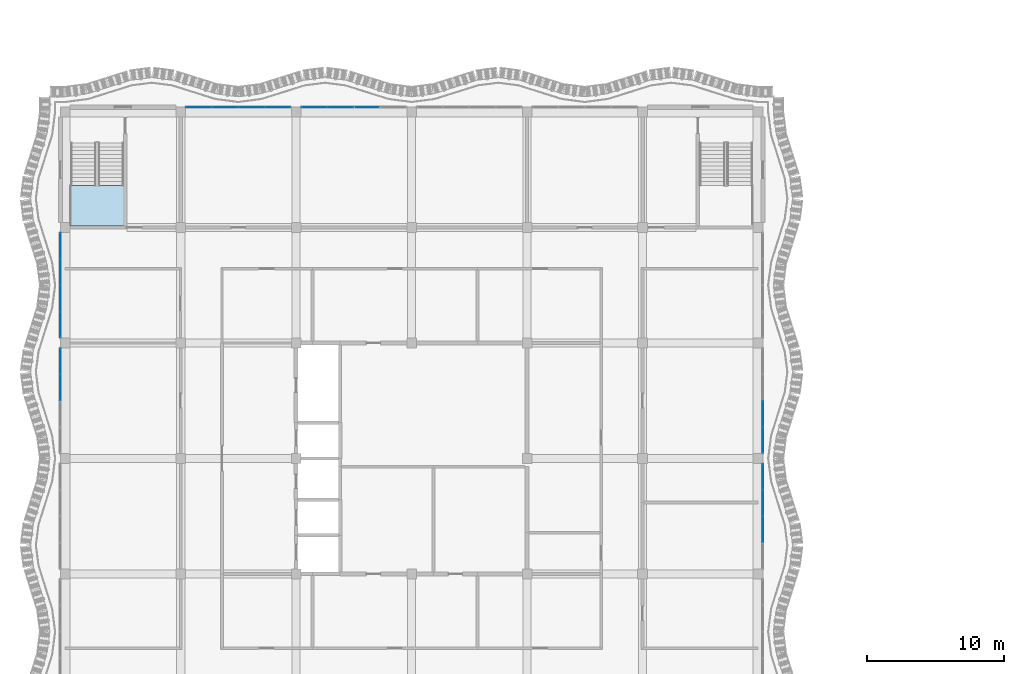
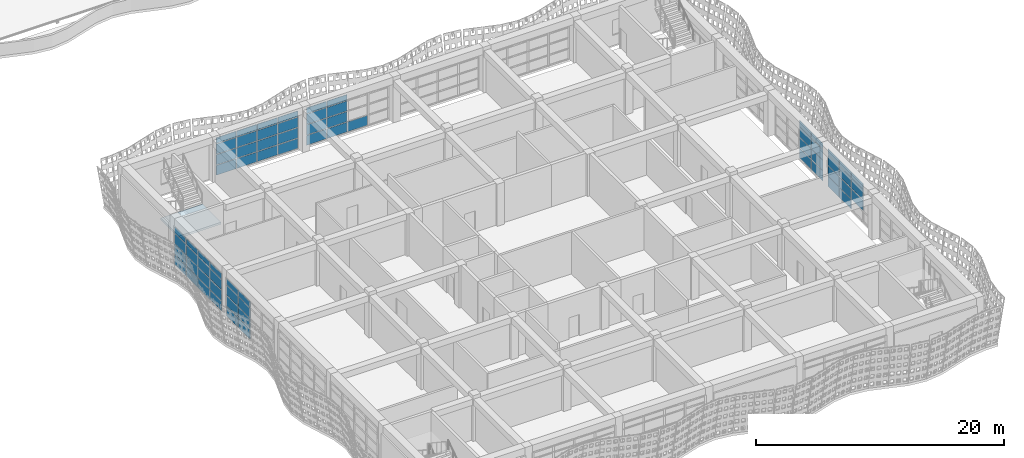
# One storey, part 98 of 163: 68 plates, 1 slab, 7 elements without a shape of their own.
"""IFC4 building model written with IfcOpenShell, lengths in metres."""

from ifc_helpers import new_model, si_unit, direction, frame, origin, origin_2d, place, context, subcontext, project, spatial, polyline, rectangle, outline, extrude, material, layer, layer_set, type_object, element, aggregate, save


model = new_model("IFC4")

# Units and contexts
model_context = context("Model", 3, precision=1e-05, world=origin(), true_north=direction((0.0, 1.0)))
body_context = subcontext(model_context, "Body", "Model", "MODEL_VIEW")
ifc_project = project(units=[si_unit("LENGTHUNIT", "METRE"), si_unit("AREAUNIT", "SQUARE_METRE"), si_unit("VOLUMEUNIT", "CUBIC_METRE"), si_unit("PLANEANGLEUNIT", "RADIAN"), si_unit("MASSUNIT", "GRAM", prefix="KILO")], contexts=[model_context])

# Site, building, storey
site_placement = place(None, origin())
site = spatial("IfcSite", under=ifc_project, at=site_placement, CompositionType="ELEMENT")
building_placement = place(site_placement, origin())
building = spatial("IfcBuilding", under=site, at=building_placement, Name="Rain Tree Exposition and Congress Centre", CompositionType="ELEMENT")
storey_placement = place(building_placement, frame((0.0, 0.0, 10.5)))
storey = spatial("IfcBuildingStorey", under=building, at=storey_placement, Name="L02", CompositionType="ELEMENT", Elevation=10.5)

# Curtain wall, plates
ifc_material_1 = material(Name="Aluminium curtain wall", Category="aluminium")
curtain_wall_type = type_object("IfcCurtainWallType", Name="Wing curtain wall 1925", PredefinedType="NOTDEFINED", material=ifc_material_1)
curtain_wall_1_placement = place(storey_placement, origin())
curtain_wall_1 = element("IfcCurtainWall", 1, at=curtain_wall_1_placement, inside=storey, type_object=curtain_wall_type, Name="Curtain wall CWW304", PredefinedType="NOTDEFINED")
ifc_material_2 = material(Name="Double glazed unit", Category="glass")
ifc_layer_1 = layer(ifc_material_2, 0.028076171875)
ifc_layer_set_1 = layer_set([ifc_layer_1], Name="Double glazed unit")
plate_type = type_object("IfcPlateType", Name="Wing glazing panel 28", PredefinedType="CURTAIN_PANEL", material=ifc_layer_set_1)
plate_1_placement = place(storey_placement, frame((9.7275390625, 50.75, 0.06005859375), z_axis=(0.0, 0.0, 1.0), x_axis=(1.0, 0.0, 0.0)))
plate_1 = element("IfcPlate", 2, at=plate_1_placement, type_object=plate_type, Name="CWW304 panel 1.1", PredefinedType="CURTAIN_PANEL", context=body_context, shape_type="SweptSolid", body=[
    extrude(rectangle(XDim=1.8349609375, YDim=0.028076171875, at=origin_2d()), origin(), (0.0, 0.0, 1.0), 0.9599609375),
])
plate_2_placement = place(storey_placement, frame((9.7275390625, 50.75, 1.080078125), z_axis=(0.0, 0.0, 1.0), x_axis=(1.0, 0.0, 0.0)))
plate_2 = element("IfcPlate", 3, at=plate_2_placement, type_object=plate_type, Name="CWW304 panel 1.2", PredefinedType="CURTAIN_PANEL", context=body_context, shape_type="SweptSolid", body=[
    extrude(rectangle(XDim=1.8349609375, YDim=0.028076171875, at=origin_2d()), origin(), (0.0, 0.0, 1.0), 0.989990234375),
])
plate_3_placement = place(storey_placement, frame((9.7275390625, 50.75, 2.1298828125), z_axis=(0.0, 0.0, 1.0), x_axis=(1.0, 0.0, 0.0)))
plate_3 = element("IfcPlate", 4, at=plate_3_placement, type_object=plate_type, Name="CWW304 panel 1.3", PredefinedType="CURTAIN_PANEL", context=body_context, shape_type="SweptSolid", body=[
    extrude(rectangle(XDim=1.8349609375, YDim=0.028076171875, at=origin_2d()), origin(), (0.0, 0.0, 1.0), 0.989990234375),
])
plate_4_placement = place(storey_placement, frame((9.7275390625, 50.75, 3.179931640625), z_axis=(0.0, 0.0, 1.0), x_axis=(1.0, 0.0, 0.0)))
plate_4 = element("IfcPlate", 5, at=plate_4_placement, type_object=plate_type, Name="CWW304 panel 1.4", PredefinedType="CURTAIN_PANEL", context=body_context, shape_type="SweptSolid", body=[
    extrude(rectangle(XDim=1.8349609375, YDim=0.028076171875, at=origin_2d()), origin(), (0.0, 0.0, 1.0), 0.56005859375),
])
plate_5_placement = place(storey_placement, frame((11.637451171875, 50.75, 0.06005859375), z_axis=(0.0, 0.0, 1.0), x_axis=(1.0, 0.0, 0.0)))
plate_5 = element("IfcPlate", 6, at=plate_5_placement, type_object=plate_type, Name="CWW304 panel 2.1", PredefinedType="CURTAIN_PANEL", context=body_context, shape_type="SweptSolid", body=[
    extrude(rectangle(XDim=1.864990234375, YDim=0.028076171875, at=origin_2d()), origin(), (0.0, 0.0, 1.0), 0.9599609375),
])
plate_6_placement = place(storey_placement, frame((11.637451171875, 50.75, 1.080078125), z_axis=(0.0, 0.0, 1.0), x_axis=(1.0, 0.0, 0.0)))
plate_6 = element("IfcPlate", 7, at=plate_6_placement, type_object=plate_type, Name="CWW304 panel 2.2", PredefinedType="CURTAIN_PANEL", context=body_context, shape_type="SweptSolid", body=[
    extrude(rectangle(XDim=1.864990234375, YDim=0.028076171875, at=origin_2d()), origin(), (0.0, 0.0, 1.0), 0.989990234375),
])
plate_7_placement = place(storey_placement, frame((11.637451171875, 50.75, 2.1298828125), z_axis=(0.0, 0.0, 1.0), x_axis=(1.0, 0.0, 0.0)))
plate_7 = element("IfcPlate", 8, at=plate_7_placement, type_object=plate_type, Name="CWW304 panel 2.3", PredefinedType="CURTAIN_PANEL", context=body_context, shape_type="SweptSolid", body=[
    extrude(rectangle(XDim=1.864990234375, YDim=0.028076171875, at=origin_2d()), origin(), (0.0, 0.0, 1.0), 0.989990234375),
])
plate_8_placement = place(storey_placement, frame((11.637451171875, 50.75, 3.179931640625), z_axis=(0.0, 0.0, 1.0), x_axis=(1.0, 0.0, 0.0)))
plate_8 = element("IfcPlate", 9, at=plate_8_placement, type_object=plate_type, Name="CWW304 panel 2.4", PredefinedType="CURTAIN_PANEL", context=body_context, shape_type="SweptSolid", body=[
    extrude(rectangle(XDim=1.864990234375, YDim=0.028076171875, at=origin_2d()), origin(), (0.0, 0.0, 1.0), 0.56005859375),
])
plate_9_placement = place(storey_placement, frame((13.5625, 50.75, 0.06005859375), z_axis=(0.0, 0.0, 1.0), x_axis=(1.0, 0.0, 0.0)))
plate_9 = element("IfcPlate", 10, at=plate_9_placement, type_object=plate_type, Name="CWW304 panel 3.1", PredefinedType="CURTAIN_PANEL", context=body_context, shape_type="SweptSolid", body=[
    extrude(rectangle(XDim=1.864990234375, YDim=0.028076171875, at=origin_2d()), origin(), (0.0, 0.0, 1.0), 0.9599609375),
])
plate_10_placement = place(storey_placement, frame((13.5625, 50.75, 1.080078125), z_axis=(0.0, 0.0, 1.0), x_axis=(1.0, 0.0, 0.0)))
plate_10 = element("IfcPlate", 11, at=plate_10_placement, type_object=plate_type, Name="CWW304 panel 3.2", PredefinedType="CURTAIN_PANEL", context=body_context, shape_type="SweptSolid", body=[
    extrude(rectangle(XDim=1.864990234375, YDim=0.028076171875, at=origin_2d()), origin(), (0.0, 0.0, 1.0), 0.989990234375),
])
plate_11_placement = place(storey_placement, frame((13.5625, 50.75, 2.1298828125), z_axis=(0.0, 0.0, 1.0), x_axis=(1.0, 0.0, 0.0)))
plate_11 = element("IfcPlate", 12, at=plate_11_placement, type_object=plate_type, Name="CWW304 panel 3.3", PredefinedType="CURTAIN_PANEL", context=body_context, shape_type="SweptSolid", body=[
    extrude(rectangle(XDim=1.864990234375, YDim=0.028076171875, at=origin_2d()), origin(), (0.0, 0.0, 1.0), 0.989990234375),
])
plate_12_placement = place(storey_placement, frame((13.5625, 50.75, 3.179931640625), z_axis=(0.0, 0.0, 1.0), x_axis=(1.0, 0.0, 0.0)))
plate_12 = element("IfcPlate", 13, at=plate_12_placement, type_object=plate_type, Name="CWW304 panel 3.4", PredefinedType="CURTAIN_PANEL", context=body_context, shape_type="SweptSolid", body=[
    extrude(rectangle(XDim=1.864990234375, YDim=0.028076171875, at=origin_2d()), origin(), (0.0, 0.0, 1.0), 0.56005859375),
])
plate_13_placement = place(storey_placement, frame((15.472412109375, 50.75, 0.06005859375), z_axis=(0.0, 0.0, 1.0), x_axis=(1.0, 0.0, 0.0)))
plate_13 = element("IfcPlate", 14, at=plate_13_placement, type_object=plate_type, Name="CWW304 panel 4.1", PredefinedType="CURTAIN_PANEL", context=body_context, shape_type="SweptSolid", body=[
    extrude(rectangle(XDim=1.8349609375, YDim=0.028076171875, at=origin_2d()), origin(), (0.0, 0.0, 1.0), 0.9599609375),
])
plate_14_placement = place(storey_placement, frame((15.472412109375, 50.75, 1.080078125), z_axis=(0.0, 0.0, 1.0), x_axis=(1.0, 0.0, 0.0)))
plate_14 = element("IfcPlate", 15, at=plate_14_placement, type_object=plate_type, Name="CWW304 panel 4.2", PredefinedType="CURTAIN_PANEL", context=body_context, shape_type="SweptSolid", body=[
    extrude(rectangle(XDim=1.8349609375, YDim=0.028076171875, at=origin_2d()), origin(), (0.0, 0.0, 1.0), 0.989990234375),
])
plate_15_placement = place(storey_placement, frame((15.472412109375, 50.75, 2.1298828125), z_axis=(0.0, 0.0, 1.0), x_axis=(1.0, 0.0, 0.0)))
plate_15 = element("IfcPlate", 16, at=plate_15_placement, type_object=plate_type, Name="CWW304 panel 4.3", PredefinedType="CURTAIN_PANEL", context=body_context, shape_type="SweptSolid", body=[
    extrude(rectangle(XDim=1.8349609375, YDim=0.028076171875, at=origin_2d()), origin(), (0.0, 0.0, 1.0), 0.989990234375),
])
plate_16_placement = place(storey_placement, frame((15.472412109375, 50.75, 3.179931640625), z_axis=(0.0, 0.0, 1.0), x_axis=(1.0, 0.0, 0.0)))
plate_16 = element("IfcPlate", 17, at=plate_16_placement, type_object=plate_type, Name="CWW304 panel 4.4", PredefinedType="CURTAIN_PANEL", context=body_context, shape_type="SweptSolid", body=[
    extrude(rectangle(XDim=1.8349609375, YDim=0.028076171875, at=origin_2d()), origin(), (0.0, 0.0, 1.0), 0.56005859375),
])
aggregate(curtain_wall_1, [plate_1, plate_2, plate_3, plate_4, plate_5, plate_6, plate_7, plate_8, plate_9, plate_10, plate_11, plate_12, plate_13, plate_14, plate_15, plate_16])

curtain_wall_2_placement = place(storey_placement, origin())
curtain_wall_2 = element("IfcCurtainWall", 18, at=curtain_wall_2_placement, inside=storey, type_object=curtain_wall_type, Name="Curtain wall CWW305", PredefinedType="NOTDEFINED")
plate_17_placement = place(storey_placement, frame((18.12744140625, 50.75, 0.06005859375), z_axis=(0.0, 0.0, 1.0), x_axis=(1.0, 0.0, 0.0)))
plate_17 = element("IfcPlate", 19, at=plate_17_placement, type_object=plate_type, Name="CWW305 panel 1.1", PredefinedType="CURTAIN_PANEL", context=body_context, shape_type="SweptSolid", body=[
    extrude(rectangle(XDim=1.8349609375, YDim=0.028076171875, at=origin_2d()), origin(), (0.0, 0.0, 1.0), 0.9599609375),
])
plate_18_placement = place(storey_placement, frame((18.12744140625, 50.75, 1.080078125), z_axis=(0.0, 0.0, 1.0), x_axis=(1.0, 0.0, 0.0)))
plate_18 = element("IfcPlate", 20, at=plate_18_placement, type_object=plate_type, Name="CWW305 panel 1.2", PredefinedType="CURTAIN_PANEL", context=body_context, shape_type="SweptSolid", body=[
    extrude(rectangle(XDim=1.8349609375, YDim=0.028076171875, at=origin_2d()), origin(), (0.0, 0.0, 1.0), 0.989990234375),
])
plate_19_placement = place(storey_placement, frame((18.12744140625, 50.75, 2.1298828125), z_axis=(0.0, 0.0, 1.0), x_axis=(1.0, 0.0, 0.0)))
plate_19 = element("IfcPlate", 21, at=plate_19_placement, type_object=plate_type, Name="CWW305 panel 1.3", PredefinedType="CURTAIN_PANEL", context=body_context, shape_type="SweptSolid", body=[
    extrude(rectangle(XDim=1.8349609375, YDim=0.028076171875, at=origin_2d()), origin(), (0.0, 0.0, 1.0), 0.989990234375),
])
plate_20_placement = place(storey_placement, frame((18.12744140625, 50.75, 3.179931640625), z_axis=(0.0, 0.0, 1.0), x_axis=(1.0, 0.0, 0.0)))
plate_20 = element("IfcPlate", 22, at=plate_20_placement, type_object=plate_type, Name="CWW305 panel 1.4", PredefinedType="CURTAIN_PANEL", context=body_context, shape_type="SweptSolid", body=[
    extrude(rectangle(XDim=1.8349609375, YDim=0.028076171875, at=origin_2d()), origin(), (0.0, 0.0, 1.0), 0.56005859375),
])
plate_21_placement = place(storey_placement, frame((20.03759765625, 50.75, 0.06005859375), z_axis=(0.0, 0.0, 1.0), x_axis=(1.0, 0.0, 0.0)))
plate_21 = element("IfcPlate", 23, at=plate_21_placement, type_object=plate_type, Name="CWW305 panel 2.1", PredefinedType="CURTAIN_PANEL", context=body_context, shape_type="SweptSolid", body=[
    extrude(rectangle(XDim=1.864990234375, YDim=0.028076171875, at=origin_2d()), origin(), (0.0, 0.0, 1.0), 0.9599609375),
])
plate_22_placement = place(storey_placement, frame((20.03759765625, 50.75, 1.080078125), z_axis=(0.0, 0.0, 1.0), x_axis=(1.0, 0.0, 0.0)))
plate_22 = element("IfcPlate", 24, at=plate_22_placement, type_object=plate_type, Name="CWW305 panel 2.2", PredefinedType="CURTAIN_PANEL", context=body_context, shape_type="SweptSolid", body=[
    extrude(rectangle(XDim=1.864990234375, YDim=0.028076171875, at=origin_2d()), origin(), (0.0, 0.0, 1.0), 0.989990234375),
])
plate_23_placement = place(storey_placement, frame((20.03759765625, 50.75, 2.1298828125), z_axis=(0.0, 0.0, 1.0), x_axis=(1.0, 0.0, 0.0)))
plate_23 = element("IfcPlate", 25, at=plate_23_placement, type_object=plate_type, Name="CWW305 panel 2.3", PredefinedType="CURTAIN_PANEL", context=body_context, shape_type="SweptSolid", body=[
    extrude(rectangle(XDim=1.864990234375, YDim=0.028076171875, at=origin_2d()), origin(), (0.0, 0.0, 1.0), 0.989990234375),
])
plate_24_placement = place(storey_placement, frame((20.03759765625, 50.75, 3.179931640625), z_axis=(0.0, 0.0, 1.0), x_axis=(1.0, 0.0, 0.0)))
plate_24 = element("IfcPlate", 26, at=plate_24_placement, type_object=plate_type, Name="CWW305 panel 2.4", PredefinedType="CURTAIN_PANEL", context=body_context, shape_type="SweptSolid", body=[
    extrude(rectangle(XDim=1.864990234375, YDim=0.028076171875, at=origin_2d()), origin(), (0.0, 0.0, 1.0), 0.56005859375),
])
plate_25_placement = place(storey_placement, frame((21.96240234375, 50.75, 0.06005859375), z_axis=(0.0, 0.0, 1.0), x_axis=(1.0, 0.0, 0.0)))
plate_25 = element("IfcPlate", 27, at=plate_25_placement, type_object=plate_type, Name="CWW305 panel 3.1", PredefinedType="CURTAIN_PANEL", context=body_context, shape_type="SweptSolid", body=[
    extrude(rectangle(XDim=1.864990234375, YDim=0.028076171875, at=origin_2d()), origin(), (0.0, 0.0, 1.0), 0.9599609375),
])
aggregate(curtain_wall_2, [plate_17, plate_18, plate_19, plate_20, plate_21, plate_22, plate_23, plate_24, plate_25])

curtain_wall_3_placement = place(storey_placement, origin())
curtain_wall_3 = element("IfcCurtainWall", 28, at=curtain_wall_3_placement, inside=storey, type_object=curtain_wall_type, Name="Curtain wall CWW310", PredefinedType="NOTDEFINED")
plate_26_placement = place(storey_placement, frame((-0.35009765625, 30.362548828125, 0.06005859375), z_axis=(0.0, 0.0, 1.0), x_axis=(0.0, 1.0, 0.0)))
plate_26 = element("IfcPlate", 29, at=plate_26_placement, type_object=plate_type, Name="CWW310 panel 3.1", PredefinedType="CURTAIN_PANEL", context=body_context, shape_type="SweptSolid", body=[
    extrude(rectangle(XDim=1.864990234375, YDim=0.028076171875, at=origin_2d()), origin(), (0.0, 0.0, 1.0), 0.9599609375),
])
plate_27_placement = place(storey_placement, frame((-0.35009765625, 30.362548828125, 1.080078125), z_axis=(0.0, 0.0, 1.0), x_axis=(0.0, 1.0, 0.0)))
plate_27 = element("IfcPlate", 30, at=plate_27_placement, type_object=plate_type, Name="CWW310 panel 3.2", PredefinedType="CURTAIN_PANEL", context=body_context, shape_type="SweptSolid", body=[
    extrude(rectangle(XDim=1.864990234375, YDim=0.028076171875, at=origin_2d()), origin(), (0.0, 0.0, 1.0), 0.989990234375),
])
plate_28_placement = place(storey_placement, frame((-0.35009765625, 30.362548828125, 2.1298828125), z_axis=(0.0, 0.0, 1.0), x_axis=(0.0, 1.0, 0.0)))
plate_28 = element("IfcPlate", 31, at=plate_28_placement, type_object=plate_type, Name="CWW310 panel 3.3", PredefinedType="CURTAIN_PANEL", context=body_context, shape_type="SweptSolid", body=[
    extrude(rectangle(XDim=1.864990234375, YDim=0.028076171875, at=origin_2d()), origin(), (0.0, 0.0, 1.0), 0.989990234375),
])
plate_29_placement = place(storey_placement, frame((-0.35009765625, 30.362548828125, 3.179931640625), z_axis=(0.0, 0.0, 1.0), x_axis=(0.0, 1.0, 0.0)))
plate_29 = element("IfcPlate", 32, at=plate_29_placement, type_object=plate_type, Name="CWW310 panel 3.4", PredefinedType="CURTAIN_PANEL", context=body_context, shape_type="SweptSolid", body=[
    extrude(rectangle(XDim=1.864990234375, YDim=0.028076171875, at=origin_2d()), origin(), (0.0, 0.0, 1.0), 0.56005859375),
])
plate_30_placement = place(storey_placement, frame((-0.35009765625, 32.2724609375, 0.06005859375), z_axis=(0.0, 0.0, 1.0), x_axis=(0.0, 1.0, 0.0)))
plate_30 = element("IfcPlate", 33, at=plate_30_placement, type_object=plate_type, Name="CWW310 panel 4.1", PredefinedType="CURTAIN_PANEL", context=body_context, shape_type="SweptSolid", body=[
    extrude(rectangle(XDim=1.8349609375, YDim=0.028076171875, at=origin_2d()), origin(), (0.0, 0.0, 1.0), 0.9599609375),
])
plate_31_placement = place(storey_placement, frame((-0.35009765625, 32.2724609375, 1.080078125), z_axis=(0.0, 0.0, 1.0), x_axis=(0.0, 1.0, 0.0)))
plate_31 = element("IfcPlate", 34, at=plate_31_placement, type_object=plate_type, Name="CWW310 panel 4.2", PredefinedType="CURTAIN_PANEL", context=body_context, shape_type="SweptSolid", body=[
    extrude(rectangle(XDim=1.8349609375, YDim=0.028076171875, at=origin_2d()), origin(), (0.0, 0.0, 1.0), 0.989990234375),
])
plate_32_placement = place(storey_placement, frame((-0.35009765625, 32.2724609375, 2.1298828125), z_axis=(0.0, 0.0, 1.0), x_axis=(0.0, 1.0, 0.0)))
plate_32 = element("IfcPlate", 35, at=plate_32_placement, type_object=plate_type, Name="CWW310 panel 4.3", PredefinedType="CURTAIN_PANEL", context=body_context, shape_type="SweptSolid", body=[
    extrude(rectangle(XDim=1.8349609375, YDim=0.028076171875, at=origin_2d()), origin(), (0.0, 0.0, 1.0), 0.989990234375),
])
plate_33_placement = place(storey_placement, frame((-0.35009765625, 32.2724609375, 3.179931640625), z_axis=(0.0, 0.0, 1.0), x_axis=(0.0, 1.0, 0.0)))
plate_33 = element("IfcPlate", 36, at=plate_33_placement, type_object=plate_type, Name="CWW310 panel 4.4", PredefinedType="CURTAIN_PANEL", context=body_context, shape_type="SweptSolid", body=[
    extrude(rectangle(XDim=1.8349609375, YDim=0.028076171875, at=origin_2d()), origin(), (0.0, 0.0, 1.0), 0.56005859375),
])
aggregate(curtain_wall_3, [plate_26, plate_27, plate_28, plate_29, plate_30, plate_31, plate_32, plate_33])

curtain_wall_4_placement = place(storey_placement, origin())
curtain_wall_4 = element("IfcCurtainWall", 37, at=curtain_wall_4_placement, inside=storey, type_object=curtain_wall_type, Name="Curtain wall CWW311", PredefinedType="NOTDEFINED")
plate_34_placement = place(storey_placement, frame((-0.35009765625, 34.927490234375, 0.06005859375), z_axis=(0.0, 0.0, 1.0), x_axis=(0.0, 1.0, 0.0)))
plate_34 = element("IfcPlate", 38, at=plate_34_placement, type_object=plate_type, Name="CWW311 panel 1.1", PredefinedType="CURTAIN_PANEL", context=body_context, shape_type="SweptSolid", body=[
    extrude(rectangle(XDim=1.8349609375, YDim=0.028076171875, at=origin_2d()), origin(), (0.0, 0.0, 1.0), 0.9599609375),
])
plate_35_placement = place(storey_placement, frame((-0.35009765625, 34.927490234375, 1.080078125), z_axis=(0.0, 0.0, 1.0), x_axis=(0.0, 1.0, 0.0)))
plate_35 = element("IfcPlate", 39, at=plate_35_placement, type_object=plate_type, Name="CWW311 panel 1.2", PredefinedType="CURTAIN_PANEL", context=body_context, shape_type="SweptSolid", body=[
    extrude(rectangle(XDim=1.8349609375, YDim=0.028076171875, at=origin_2d()), origin(), (0.0, 0.0, 1.0), 0.989990234375),
])
plate_36_placement = place(storey_placement, frame((-0.35009765625, 34.927490234375, 2.1298828125), z_axis=(0.0, 0.0, 1.0), x_axis=(0.0, 1.0, 0.0)))
plate_36 = element("IfcPlate", 40, at=plate_36_placement, type_object=plate_type, Name="CWW311 panel 1.3", PredefinedType="CURTAIN_PANEL", context=body_context, shape_type="SweptSolid", body=[
    extrude(rectangle(XDim=1.8349609375, YDim=0.028076171875, at=origin_2d()), origin(), (0.0, 0.0, 1.0), 0.989990234375),
])
plate_37_placement = place(storey_placement, frame((-0.35009765625, 34.927490234375, 3.179931640625), z_axis=(0.0, 0.0, 1.0), x_axis=(0.0, 1.0, 0.0)))
plate_37 = element("IfcPlate", 41, at=plate_37_placement, type_object=plate_type, Name="CWW311 panel 1.4", PredefinedType="CURTAIN_PANEL", context=body_context, shape_type="SweptSolid", body=[
    extrude(rectangle(XDim=1.8349609375, YDim=0.028076171875, at=origin_2d()), origin(), (0.0, 0.0, 1.0), 0.56005859375),
])
plate_38_placement = place(storey_placement, frame((-0.35009765625, 36.83740234375, 0.06005859375), z_axis=(0.0, 0.0, 1.0), x_axis=(0.0, 1.0, 0.0)))
plate_38 = element("IfcPlate", 42, at=plate_38_placement, type_object=plate_type, Name="CWW311 panel 2.1", PredefinedType="CURTAIN_PANEL", context=body_context, shape_type="SweptSolid", body=[
    extrude(rectangle(XDim=1.864990234375, YDim=0.028076171875, at=origin_2d()), origin(), (0.0, 0.0, 1.0), 0.9599609375),
])
plate_39_placement = place(storey_placement, frame((-0.35009765625, 36.83740234375, 1.080078125), z_axis=(0.0, 0.0, 1.0), x_axis=(0.0, 1.0, 0.0)))
plate_39 = element("IfcPlate", 43, at=plate_39_placement, type_object=plate_type, Name="CWW311 panel 2.2", PredefinedType="CURTAIN_PANEL", context=body_context, shape_type="SweptSolid", body=[
    extrude(rectangle(XDim=1.864990234375, YDim=0.028076171875, at=origin_2d()), origin(), (0.0, 0.0, 1.0), 0.989990234375),
])
plate_40_placement = place(storey_placement, frame((-0.35009765625, 36.83740234375, 2.1298828125), z_axis=(0.0, 0.0, 1.0), x_axis=(0.0, 1.0, 0.0)))
plate_40 = element("IfcPlate", 44, at=plate_40_placement, type_object=plate_type, Name="CWW311 panel 2.3", PredefinedType="CURTAIN_PANEL", context=body_context, shape_type="SweptSolid", body=[
    extrude(rectangle(XDim=1.864990234375, YDim=0.028076171875, at=origin_2d()), origin(), (0.0, 0.0, 1.0), 0.989990234375),
])
plate_41_placement = place(storey_placement, frame((-0.35009765625, 36.83740234375, 3.179931640625), z_axis=(0.0, 0.0, 1.0), x_axis=(0.0, 1.0, 0.0)))
plate_41 = element("IfcPlate", 45, at=plate_41_placement, type_object=plate_type, Name="CWW311 panel 2.4", PredefinedType="CURTAIN_PANEL", context=body_context, shape_type="SweptSolid", body=[
    extrude(rectangle(XDim=1.864990234375, YDim=0.028076171875, at=origin_2d()), origin(), (0.0, 0.0, 1.0), 0.56005859375),
])
plate_42_placement = place(storey_placement, frame((-0.35009765625, 38.762451171875, 0.06005859375), z_axis=(0.0, 0.0, 1.0), x_axis=(0.0, 1.0, 0.0)))
plate_42 = element("IfcPlate", 46, at=plate_42_placement, type_object=plate_type, Name="CWW311 panel 3.1", PredefinedType="CURTAIN_PANEL", context=body_context, shape_type="SweptSolid", body=[
    extrude(rectangle(XDim=1.864990234375, YDim=0.028076171875, at=origin_2d()), origin(), (0.0, 0.0, 1.0), 0.9599609375),
])
plate_43_placement = place(storey_placement, frame((-0.35009765625, 38.762451171875, 1.080078125), z_axis=(0.0, 0.0, 1.0), x_axis=(0.0, 1.0, 0.0)))
plate_43 = element("IfcPlate", 47, at=plate_43_placement, type_object=plate_type, Name="CWW311 panel 3.2", PredefinedType="CURTAIN_PANEL", context=body_context, shape_type="SweptSolid", body=[
    extrude(rectangle(XDim=1.864990234375, YDim=0.028076171875, at=origin_2d()), origin(), (0.0, 0.0, 1.0), 0.989990234375),
])
plate_44_placement = place(storey_placement, frame((-0.35009765625, 38.762451171875, 2.1298828125), z_axis=(0.0, 0.0, 1.0), x_axis=(0.0, 1.0, 0.0)))
plate_44 = element("IfcPlate", 48, at=plate_44_placement, type_object=plate_type, Name="CWW311 panel 3.3", PredefinedType="CURTAIN_PANEL", context=body_context, shape_type="SweptSolid", body=[
    extrude(rectangle(XDim=1.864990234375, YDim=0.028076171875, at=origin_2d()), origin(), (0.0, 0.0, 1.0), 0.989990234375),
])
plate_45_placement = place(storey_placement, frame((-0.35009765625, 38.762451171875, 3.179931640625), z_axis=(0.0, 0.0, 1.0), x_axis=(0.0, 1.0, 0.0)))
plate_45 = element("IfcPlate", 49, at=plate_45_placement, type_object=plate_type, Name="CWW311 panel 3.4", PredefinedType="CURTAIN_PANEL", context=body_context, shape_type="SweptSolid", body=[
    extrude(rectangle(XDim=1.864990234375, YDim=0.028076171875, at=origin_2d()), origin(), (0.0, 0.0, 1.0), 0.56005859375),
])
plate_46_placement = place(storey_placement, frame((-0.35009765625, 40.672607421875, 0.06005859375), z_axis=(0.0, 0.0, 1.0), x_axis=(0.0, 1.0, 0.0)))
plate_46 = element("IfcPlate", 50, at=plate_46_placement, type_object=plate_type, Name="CWW311 panel 4.1", PredefinedType="CURTAIN_PANEL", context=body_context, shape_type="SweptSolid", body=[
    extrude(rectangle(XDim=1.8349609375, YDim=0.028076171875, at=origin_2d()), origin(), (0.0, 0.0, 1.0), 0.9599609375),
])
plate_47_placement = place(storey_placement, frame((-0.35009765625, 40.672607421875, 1.080078125), z_axis=(0.0, 0.0, 1.0), x_axis=(0.0, 1.0, 0.0)))
plate_47 = element("IfcPlate", 51, at=plate_47_placement, type_object=plate_type, Name="CWW311 panel 4.2", PredefinedType="CURTAIN_PANEL", context=body_context, shape_type="SweptSolid", body=[
    extrude(rectangle(XDim=1.8349609375, YDim=0.028076171875, at=origin_2d()), origin(), (0.0, 0.0, 1.0), 0.989990234375),
])
plate_48_placement = place(storey_placement, frame((-0.35009765625, 40.672607421875, 2.1298828125), z_axis=(0.0, 0.0, 1.0), x_axis=(0.0, 1.0, 0.0)))
plate_48 = element("IfcPlate", 52, at=plate_48_placement, type_object=plate_type, Name="CWW311 panel 4.3", PredefinedType="CURTAIN_PANEL", context=body_context, shape_type="SweptSolid", body=[
    extrude(rectangle(XDim=1.8349609375, YDim=0.028076171875, at=origin_2d()), origin(), (0.0, 0.0, 1.0), 0.989990234375),
])
plate_49_placement = place(storey_placement, frame((-0.35009765625, 40.672607421875, 3.179931640625), z_axis=(0.0, 0.0, 1.0), x_axis=(0.0, 1.0, 0.0)))
plate_49 = element("IfcPlate", 53, at=plate_49_placement, type_object=plate_type, Name="CWW311 panel 4.4", PredefinedType="CURTAIN_PANEL", context=body_context, shape_type="SweptSolid", body=[
    extrude(rectangle(XDim=1.8349609375, YDim=0.028076171875, at=origin_2d()), origin(), (0.0, 0.0, 1.0), 0.56005859375),
])
aggregate(curtain_wall_4, [plate_34, plate_35, plate_36, plate_37, plate_38, plate_39, plate_40, plate_41, plate_42, plate_43, plate_44, plate_45, plate_46, plate_47, plate_48, plate_49])

curtain_wall_5_placement = place(storey_placement, origin())
curtain_wall_5 = element("IfcCurtainWall", 54, at=curtain_wall_5_placement, inside=storey, type_object=curtain_wall_type, Name="Curtain wall CWW313", PredefinedType="NOTDEFINED")
plate_50_placement = place(storey_placement, frame((50.75, 20.03759765625, 1.080078125), z_axis=(0.0, 0.0, 1.0), x_axis=(0.0, 1.0, 0.0)))
plate_50 = element("IfcPlate", 55, at=plate_50_placement, type_object=plate_type, Name="CWW313 panel 2.2", PredefinedType="CURTAIN_PANEL", context=body_context, shape_type="SweptSolid", body=[
    extrude(rectangle(XDim=1.864990234375, YDim=0.028076171875, at=origin_2d()), origin(), (0.0, 0.0, 1.0), 0.989990234375),
])
plate_51_placement = place(storey_placement, frame((50.75, 20.03759765625, 2.1298828125), z_axis=(0.0, 0.0, 1.0), x_axis=(0.0, 1.0, 0.0)))
plate_51 = element("IfcPlate", 56, at=plate_51_placement, type_object=plate_type, Name="CWW313 panel 2.3", PredefinedType="CURTAIN_PANEL", context=body_context, shape_type="SweptSolid", body=[
    extrude(rectangle(XDim=1.864990234375, YDim=0.028076171875, at=origin_2d()), origin(), (0.0, 0.0, 1.0), 0.989990234375),
])
plate_52_placement = place(storey_placement, frame((50.75, 20.03759765625, 3.179931640625), z_axis=(0.0, 0.0, 1.0), x_axis=(0.0, 1.0, 0.0)))
plate_52 = element("IfcPlate", 57, at=plate_52_placement, type_object=plate_type, Name="CWW313 panel 2.4", PredefinedType="CURTAIN_PANEL", context=body_context, shape_type="SweptSolid", body=[
    extrude(rectangle(XDim=1.864990234375, YDim=0.028076171875, at=origin_2d()), origin(), (0.0, 0.0, 1.0), 0.56005859375),
])
plate_53_placement = place(storey_placement, frame((50.75, 21.96240234375, 0.06005859375), z_axis=(0.0, 0.0, 1.0), x_axis=(0.0, 1.0, 0.0)))
plate_53 = element("IfcPlate", 58, at=plate_53_placement, type_object=plate_type, Name="CWW313 panel 3.1", PredefinedType="CURTAIN_PANEL", context=body_context, shape_type="SweptSolid", body=[
    extrude(rectangle(XDim=1.864990234375, YDim=0.028076171875, at=origin_2d()), origin(), (0.0, 0.0, 1.0), 0.9599609375),
])
plate_54_placement = place(storey_placement, frame((50.75, 21.96240234375, 1.080078125), z_axis=(0.0, 0.0, 1.0), x_axis=(0.0, 1.0, 0.0)))
plate_54 = element("IfcPlate", 59, at=plate_54_placement, type_object=plate_type, Name="CWW313 panel 3.2", PredefinedType="CURTAIN_PANEL", context=body_context, shape_type="SweptSolid", body=[
    extrude(rectangle(XDim=1.864990234375, YDim=0.028076171875, at=origin_2d()), origin(), (0.0, 0.0, 1.0), 0.989990234375),
])
plate_55_placement = place(storey_placement, frame((50.75, 21.96240234375, 2.1298828125), z_axis=(0.0, 0.0, 1.0), x_axis=(0.0, 1.0, 0.0)))
plate_55 = element("IfcPlate", 60, at=plate_55_placement, type_object=plate_type, Name="CWW313 panel 3.3", PredefinedType="CURTAIN_PANEL", context=body_context, shape_type="SweptSolid", body=[
    extrude(rectangle(XDim=1.864990234375, YDim=0.028076171875, at=origin_2d()), origin(), (0.0, 0.0, 1.0), 0.989990234375),
])
plate_56_placement = place(storey_placement, frame((50.75, 21.96240234375, 3.179931640625), z_axis=(0.0, 0.0, 1.0), x_axis=(0.0, 1.0, 0.0)))
plate_56 = element("IfcPlate", 61, at=plate_56_placement, type_object=plate_type, Name="CWW313 panel 3.4", PredefinedType="CURTAIN_PANEL", context=body_context, shape_type="SweptSolid", body=[
    extrude(rectangle(XDim=1.864990234375, YDim=0.028076171875, at=origin_2d()), origin(), (0.0, 0.0, 1.0), 0.56005859375),
])
plate_57_placement = place(storey_placement, frame((50.75, 23.87255859375, 0.06005859375), z_axis=(0.0, 0.0, 1.0), x_axis=(0.0, 1.0, 0.0)))
plate_57 = element("IfcPlate", 62, at=plate_57_placement, type_object=plate_type, Name="CWW313 panel 4.1", PredefinedType="CURTAIN_PANEL", context=body_context, shape_type="SweptSolid", body=[
    extrude(rectangle(XDim=1.8349609375, YDim=0.028076171875, at=origin_2d()), origin(), (0.0, 0.0, 1.0), 0.9599609375),
])
plate_58_placement = place(storey_placement, frame((50.75, 23.87255859375, 1.080078125), z_axis=(0.0, 0.0, 1.0), x_axis=(0.0, 1.0, 0.0)))
plate_58 = element("IfcPlate", 63, at=plate_58_placement, type_object=plate_type, Name="CWW313 panel 4.2", PredefinedType="CURTAIN_PANEL", context=body_context, shape_type="SweptSolid", body=[
    extrude(rectangle(XDim=1.8349609375, YDim=0.028076171875, at=origin_2d()), origin(), (0.0, 0.0, 1.0), 0.989990234375),
])
plate_59_placement = place(storey_placement, frame((50.75, 23.87255859375, 2.1298828125), z_axis=(0.0, 0.0, 1.0), x_axis=(0.0, 1.0, 0.0)))
plate_59 = element("IfcPlate", 64, at=plate_59_placement, type_object=plate_type, Name="CWW313 panel 4.3", PredefinedType="CURTAIN_PANEL", context=body_context, shape_type="SweptSolid", body=[
    extrude(rectangle(XDim=1.8349609375, YDim=0.028076171875, at=origin_2d()), origin(), (0.0, 0.0, 1.0), 0.989990234375),
])
plate_60_placement = place(storey_placement, frame((50.75, 23.87255859375, 3.179931640625), z_axis=(0.0, 0.0, 1.0), x_axis=(0.0, 1.0, 0.0)))
plate_60 = element("IfcPlate", 65, at=plate_60_placement, type_object=plate_type, Name="CWW313 panel 4.4", PredefinedType="CURTAIN_PANEL", context=body_context, shape_type="SweptSolid", body=[
    extrude(rectangle(XDim=1.8349609375, YDim=0.028076171875, at=origin_2d()), origin(), (0.0, 0.0, 1.0), 0.56005859375),
])
aggregate(curtain_wall_5, [plate_50, plate_51, plate_52, plate_53, plate_54, plate_55, plate_56, plate_57, plate_58, plate_59, plate_60])

curtain_wall_6_placement = place(storey_placement, origin())
curtain_wall_6 = element("IfcCurtainWall", 66, at=curtain_wall_6_placement, inside=storey, type_object=curtain_wall_type, Name="Curtain wall CWW314", PredefinedType="NOTDEFINED")
plate_61_placement = place(storey_placement, frame((50.75, 26.527587890625, 0.06005859375), z_axis=(0.0, 0.0, 1.0), x_axis=(0.0, 1.0, 0.0)))
plate_61 = element("IfcPlate", 67, at=plate_61_placement, type_object=plate_type, Name="CWW314 panel 1.1", PredefinedType="CURTAIN_PANEL", context=body_context, shape_type="SweptSolid", body=[
    extrude(rectangle(XDim=1.8349609375, YDim=0.028076171875, at=origin_2d()), origin(), (0.0, 0.0, 1.0), 0.9599609375),
])
plate_62_placement = place(storey_placement, frame((50.75, 26.527587890625, 1.080078125), z_axis=(0.0, 0.0, 1.0), x_axis=(0.0, 1.0, 0.0)))
plate_62 = element("IfcPlate", 68, at=plate_62_placement, type_object=plate_type, Name="CWW314 panel 1.2", PredefinedType="CURTAIN_PANEL", context=body_context, shape_type="SweptSolid", body=[
    extrude(rectangle(XDim=1.8349609375, YDim=0.028076171875, at=origin_2d()), origin(), (0.0, 0.0, 1.0), 0.989990234375),
])
plate_63_placement = place(storey_placement, frame((50.75, 26.527587890625, 2.1298828125), z_axis=(0.0, 0.0, 1.0), x_axis=(0.0, 1.0, 0.0)))
plate_63 = element("IfcPlate", 69, at=plate_63_placement, type_object=plate_type, Name="CWW314 panel 1.3", PredefinedType="CURTAIN_PANEL", context=body_context, shape_type="SweptSolid", body=[
    extrude(rectangle(XDim=1.8349609375, YDim=0.028076171875, at=origin_2d()), origin(), (0.0, 0.0, 1.0), 0.989990234375),
])
plate_64_placement = place(storey_placement, frame((50.75, 26.527587890625, 3.179931640625), z_axis=(0.0, 0.0, 1.0), x_axis=(0.0, 1.0, 0.0)))
plate_64 = element("IfcPlate", 70, at=plate_64_placement, type_object=plate_type, Name="CWW314 panel 1.4", PredefinedType="CURTAIN_PANEL", context=body_context, shape_type="SweptSolid", body=[
    extrude(rectangle(XDim=1.8349609375, YDim=0.028076171875, at=origin_2d()), origin(), (0.0, 0.0, 1.0), 0.56005859375),
])
plate_65_placement = place(storey_placement, frame((50.75, 28.4375, 0.06005859375), z_axis=(0.0, 0.0, 1.0), x_axis=(0.0, 1.0, 0.0)))
plate_65 = element("IfcPlate", 71, at=plate_65_placement, type_object=plate_type, Name="CWW314 panel 2.1", PredefinedType="CURTAIN_PANEL", context=body_context, shape_type="SweptSolid", body=[
    extrude(rectangle(XDim=1.864990234375, YDim=0.028076171875, at=origin_2d()), origin(), (0.0, 0.0, 1.0), 0.9599609375),
])
plate_66_placement = place(storey_placement, frame((50.75, 28.4375, 1.080078125), z_axis=(0.0, 0.0, 1.0), x_axis=(0.0, 1.0, 0.0)))
plate_66 = element("IfcPlate", 72, at=plate_66_placement, type_object=plate_type, Name="CWW314 panel 2.2", PredefinedType="CURTAIN_PANEL", context=body_context, shape_type="SweptSolid", body=[
    extrude(rectangle(XDim=1.864990234375, YDim=0.028076171875, at=origin_2d()), origin(), (0.0, 0.0, 1.0), 0.989990234375),
])
plate_67_placement = place(storey_placement, frame((50.75, 28.4375, 2.1298828125), z_axis=(0.0, 0.0, 1.0), x_axis=(0.0, 1.0, 0.0)))
plate_67 = element("IfcPlate", 73, at=plate_67_placement, type_object=plate_type, Name="CWW314 panel 2.3", PredefinedType="CURTAIN_PANEL", context=body_context, shape_type="SweptSolid", body=[
    extrude(rectangle(XDim=1.864990234375, YDim=0.028076171875, at=origin_2d()), origin(), (0.0, 0.0, 1.0), 0.989990234375),
])
plate_68_placement = place(storey_placement, frame((50.75, 28.4375, 3.179931640625), z_axis=(0.0, 0.0, 1.0), x_axis=(0.0, 1.0, 0.0)))
plate_68 = element("IfcPlate", 74, at=plate_68_placement, type_object=plate_type, Name="CWW314 panel 2.4", PredefinedType="CURTAIN_PANEL", context=body_context, shape_type="SweptSolid", body=[
    extrude(rectangle(XDim=1.864990234375, YDim=0.028076171875, at=origin_2d()), origin(), (0.0, 0.0, 1.0), 0.56005859375),
])
aggregate(curtain_wall_6, [plate_61, plate_62, plate_63, plate_64, plate_65, plate_66, plate_67, plate_68])

# Stair, slab
ifc_material_3 = material(Name="Precast concrete C50/60", Category="concrete")
stair_type = type_object("IfcStairType", Name="Wing dog-leg stair 1850", PredefinedType="HALF_TURN_STAIR", material=ifc_material_3)
stair_placement = place(storey_placement, origin())
stair = element("IfcStair", 75, at=stair_placement, inside=storey, type_object=stair_type, Name="L02 ST-W3", PredefinedType="HALF_TURN_STAIR")
ifc_material_4 = material(Name="Precast concrete C50/60", Category="concrete")
ifc_layer_2 = layer(ifc_material_4, 0.199951171875)
ifc_layer_set_2 = layer_set([ifc_layer_2], Name="Precast concrete C50/60")
slab_type = type_object("IfcSlabType", Name="Wing stair landing 200", PredefinedType="LANDING", material=ifc_layer_set_2)
slab_placement = place(storey_placement, frame((0.0, 0.0, 2.050048828125)))
slab = element("IfcSlab", 76, at=slab_placement, type_object=slab_type, Name="ST-W3 landing 1", PredefinedType="LANDING", context=body_context, shape_type="SweptSolid", body=[
    extrude(outline(polyline([(4.27490234375, 45.070068359375), (4.27490234375, 42.1220703125), (0.346923828125, 42.1220703125), (0.346923828125, 45.070068359375), (4.27490234375, 45.070068359375)])), origin(), (0.0, 0.0, 1.0), 0.199951171875),
])
aggregate(stair, [slab])

save(model, "model.ifc")
